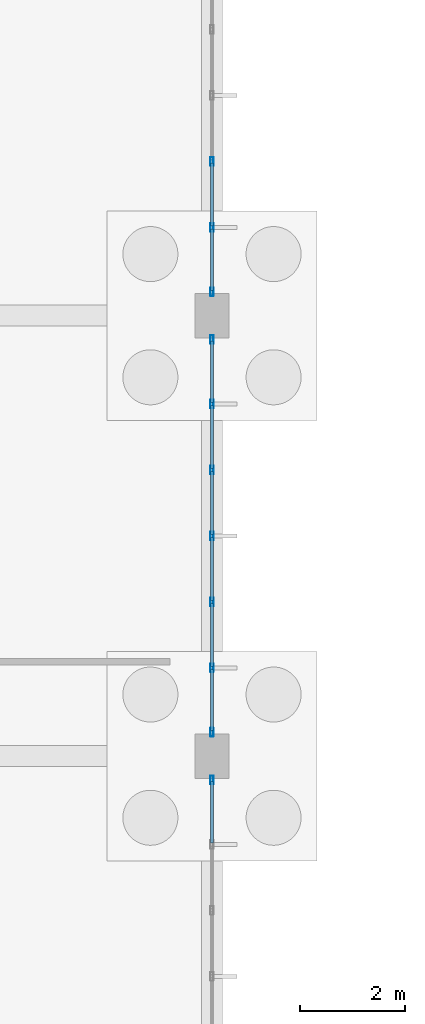
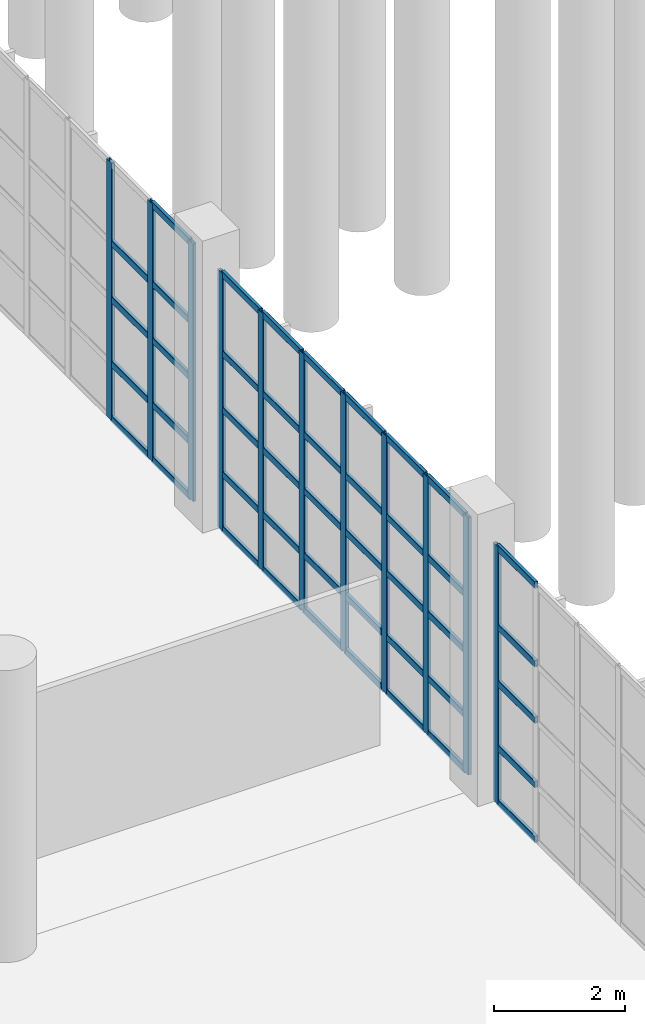
# One storey, part 28 of 83: 55 members, 3 elements without a shape of their own.
"""IFC4 building model written with IfcOpenShell, lengths in metres."""

from ifc_helpers import new_model, si_unit, direction, frame, origin, origin_2d, place, context, subcontext, project, spatial, hollow_rectangle, extrude, material, layer, layer_set, material_profile, profile_set, type_object, element, aggregate, save


model = new_model("IFC4")

# Units and contexts
model_context = context("Model", 3, precision=1e-05, world=origin(), true_north=direction((0.0, 1.0)))
body_context = subcontext(model_context, "Body", "Model", "MODEL_VIEW")
ifc_project = project(units=[si_unit("LENGTHUNIT", "METRE"), si_unit("AREAUNIT", "SQUARE_METRE"), si_unit("VOLUMEUNIT", "CUBIC_METRE"), si_unit("PLANEANGLEUNIT", "RADIAN"), si_unit("MASSUNIT", "GRAM", prefix="KILO"), si_unit("THERMODYNAMICTEMPERATUREUNIT", "KELVIN"), si_unit("POWERUNIT", "WATT")], contexts=[model_context])

# Site, building, storey
site_placement = place(None, origin())
site = spatial("IfcSite", under=ifc_project, at=site_placement, CompositionType="ELEMENT")
building_placement = place(site_placement, origin())
building = spatial("IfcBuilding", under=site, at=building_placement, Name="Mavoryth Pier Ferry Terminal", CompositionType="ELEMENT")
storey_placement = place(building_placement, origin())
storey = spatial("IfcBuildingStorey", under=building, at=storey_placement, Name="L00", CompositionType="ELEMENT", Elevation=0.0)

# Curtain wall, member
ifc_material_1 = material(Name="Anodised Aluminium and Solar-Control Low-E Glass", Category="aluminium")
ifc_layer = layer(ifc_material_1, 0.199951171875, Name="Anodised Aluminium and Solar-Control Low-E Glass", Category="aluminium")
ifc_layer_set = layer_set([ifc_layer], Name="Anodised Aluminium and Solar-Control Low-E Glass - CW-Concourse-Mod1200")
curtain_wall_type = type_object("IfcCurtainWallType", Name="CW-Concourse-Mod1200", PredefinedType="USERDEFINED", material=ifc_layer_set)
curtain_wall_1_placement = place(storey_placement, origin())
curtain_wall_1 = element("IfcCurtainWall", 1, at=curtain_wall_1_placement, inside=storey, type_object=curtain_wall_type, Name="Curtain Wall CW-0022-010", ObjectType="UNITISED CURTAIN WALL", PredefinedType="USERDEFINED")
ifc_material_2 = material(Name="Anodised Aluminium EN AW-6063", Category="aluminium")
ifc_material_profile_1 = material_profile(ifc_material_2, hollow_rectangle(XDim=0.06005859375, YDim=0.1650390625, WallThickness=0.00390625, InnerFilletRadius=0.00390625, OuterFilletRadius=0.008056640625, at=origin_2d()), Name="AL-MULL 165x60x4", Category="aluminium")
ifc_profile_set_1 = profile_set([ifc_material_profile_1], Name="Anodised Aluminium EN AW-6063 - AL-MULL 165x60x4")
member_type_1 = type_object("IfcMemberType", Name="Mullion-Alum-165x60", PredefinedType="MULLION", material=ifc_profile_set_1)
member_1_placement = place(storey_placement, frame((33.60009765625, 63.544921875, 0.0), z_axis=(0.0, 0.0, 1.0), x_axis=(-1.0, 0.0, 0.0)))
member_1 = element("IfcMember", 2, at=member_1_placement, type_object=member_type_1, Name="CW02 mullion 7", PredefinedType="MULLION", context=body_context, shape_type="SweptSolid", body=[
    extrude(hollow_rectangle(XDim=0.06005859375, YDim=0.1650390625, WallThickness=0.00390625, InnerFilletRadius=0.00390625, OuterFilletRadius=0.008056640625, at=origin_2d()), origin(), (0.0, 0.0, 1.0), 4.794921875),
])

# Curtain wall, members
curtain_wall_2_placement = place(storey_placement, origin())
curtain_wall_2 = element("IfcCurtainWall", 3, at=curtain_wall_2_placement, inside=storey, type_object=curtain_wall_type, Name="Curtain Wall CW-0022-014", ObjectType="UNITISED CURTAIN WALL", PredefinedType="USERDEFINED")
member_2_placement = place(storey_placement, frame((33.60009765625, 64.455078125, 0.0), z_axis=(0.0, 0.0, 1.0), x_axis=(-1.0, 0.0, 0.0)))
member_2 = element("IfcMember", 4, at=member_2_placement, type_object=member_type_1, Name="CW02 mullion 1", PredefinedType="MULLION", context=body_context, shape_type="SweptSolid", body=[
    extrude(hollow_rectangle(XDim=0.06005859375, YDim=0.1650390625, WallThickness=0.00390625, InnerFilletRadius=0.00390625, OuterFilletRadius=0.008056640625, at=origin_2d()), origin(), (0.0, 0.0, 1.0), 4.794921875),
])
member_3_placement = place(storey_placement, frame((33.60009765625, 65.683349609375, 0.0), z_axis=(0.0, 0.0, 1.0), x_axis=(-1.0, 0.0, 0.0)))
member_3 = element("IfcMember", 5, at=member_3_placement, type_object=member_type_1, Name="CW02 mullion 2", PredefinedType="MULLION", context=body_context, shape_type="SweptSolid", body=[
    extrude(hollow_rectangle(XDim=0.06005859375, YDim=0.1650390625, WallThickness=0.00390625, InnerFilletRadius=0.00390625, OuterFilletRadius=0.008056640625, at=origin_2d()), origin(), (0.0, 0.0, 1.0), 4.794921875),
])
member_4_placement = place(storey_placement, frame((33.60009765625, 66.941650390625, 0.0), z_axis=(0.0, 0.0, 1.0), x_axis=(-1.0, 0.0, 0.0)))
member_4 = element("IfcMember", 6, at=member_4_placement, type_object=member_type_1, Name="CW02 mullion 3", PredefinedType="MULLION", context=body_context, shape_type="SweptSolid", body=[
    extrude(hollow_rectangle(XDim=0.06005859375, YDim=0.1650390625, WallThickness=0.00390625, InnerFilletRadius=0.00390625, OuterFilletRadius=0.008056640625, at=origin_2d()), origin(), (0.0, 0.0, 1.0), 4.794921875),
])
member_5_placement = place(storey_placement, frame((33.60009765625, 68.199951171875, 0.0), z_axis=(0.0, 0.0, 1.0), x_axis=(-1.0, 0.0, 0.0)))
member_5 = element("IfcMember", 7, at=member_5_placement, type_object=member_type_1, Name="CW02 mullion 4", PredefinedType="MULLION", context=body_context, shape_type="SweptSolid", body=[
    extrude(hollow_rectangle(XDim=0.06005859375, YDim=0.1650390625, WallThickness=0.00390625, InnerFilletRadius=0.00390625, OuterFilletRadius=0.008056640625, at=origin_2d()), origin(), (0.0, 0.0, 1.0), 4.794921875),
])
member_6_placement = place(storey_placement, frame((33.60009765625, 69.458251953125, 0.0), z_axis=(0.0, 0.0, 1.0), x_axis=(-1.0, 0.0, 0.0)))
member_6 = element("IfcMember", 8, at=member_6_placement, type_object=member_type_1, Name="CW02 mullion 5", PredefinedType="MULLION", context=body_context, shape_type="SweptSolid", body=[
    extrude(hollow_rectangle(XDim=0.06005859375, YDim=0.1650390625, WallThickness=0.00390625, InnerFilletRadius=0.00390625, OuterFilletRadius=0.008056640625, at=origin_2d()), origin(), (0.0, 0.0, 1.0), 4.794921875),
])
member_7_placement = place(storey_placement, frame((33.60009765625, 70.716552734375, 0.0), z_axis=(0.0, 0.0, 1.0), x_axis=(-1.0, 0.0, 0.0)))
member_7 = element("IfcMember", 9, at=member_7_placement, type_object=member_type_1, Name="CW02 mullion 6", PredefinedType="MULLION", context=body_context, shape_type="SweptSolid", body=[
    extrude(hollow_rectangle(XDim=0.06005859375, YDim=0.1650390625, WallThickness=0.00390625, InnerFilletRadius=0.00390625, OuterFilletRadius=0.008056640625, at=origin_2d()), origin(), (0.0, 0.0, 1.0), 4.794921875),
])
member_8_placement = place(storey_placement, frame((33.60009765625, 71.945068359375, 0.0), z_axis=(0.0, 0.0, 1.0), x_axis=(-1.0, 0.0, 0.0)))
member_8 = element("IfcMember", 10, at=member_8_placement, type_object=member_type_1, Name="CW02 mullion 7", PredefinedType="MULLION", context=body_context, shape_type="SweptSolid", body=[
    extrude(hollow_rectangle(XDim=0.06005859375, YDim=0.1650390625, WallThickness=0.00390625, InnerFilletRadius=0.00390625, OuterFilletRadius=0.008056640625, at=origin_2d()), origin(), (0.0, 0.0, 1.0), 4.794921875),
])

curtain_wall_3_placement = place(storey_placement, origin())
curtain_wall_3 = element("IfcCurtainWall", 11, at=curtain_wall_3_placement, inside=storey, type_object=curtain_wall_type, Name="Curtain Wall CW-0022-018", ObjectType="UNITISED CURTAIN WALL", PredefinedType="USERDEFINED")
member_9_placement = place(storey_placement, frame((33.60009765625, 72.85498046875, 0.0), z_axis=(0.0, 0.0, 1.0), x_axis=(-1.0, 0.0, 0.0)))
member_9 = element("IfcMember", 12, at=member_9_placement, type_object=member_type_1, Name="CW02 mullion 1", PredefinedType="MULLION", context=body_context, shape_type="SweptSolid", body=[
    extrude(hollow_rectangle(XDim=0.06005859375, YDim=0.1650390625, WallThickness=0.00390625, InnerFilletRadius=0.00390625, OuterFilletRadius=0.008056640625, at=origin_2d()), origin(), (0.0, 0.0, 1.0), 4.794921875),
])
member_10_placement = place(storey_placement, frame((33.60009765625, 74.083251953125, 0.0), z_axis=(0.0, 0.0, 1.0), x_axis=(-1.0, 0.0, 0.0)))
member_10 = element("IfcMember", 13, at=member_10_placement, type_object=member_type_1, Name="CW02 mullion 2", PredefinedType="MULLION", context=body_context, shape_type="SweptSolid", body=[
    extrude(hollow_rectangle(XDim=0.06005859375, YDim=0.1650390625, WallThickness=0.00390625, InnerFilletRadius=0.00390625, OuterFilletRadius=0.008056640625, at=origin_2d()), origin(), (0.0, 0.0, 1.0), 4.794921875),
])
member_11_placement = place(storey_placement, frame((33.60009765625, 75.341552734375, 0.0), z_axis=(0.0, 0.0, 1.0), x_axis=(-1.0, 0.0, 0.0)))
member_11 = element("IfcMember", 14, at=member_11_placement, type_object=member_type_1, Name="CW02 mullion 3", PredefinedType="MULLION", context=body_context, shape_type="SweptSolid", body=[
    extrude(hollow_rectangle(XDim=0.06005859375, YDim=0.1650390625, WallThickness=0.00390625, InnerFilletRadius=0.00390625, OuterFilletRadius=0.008056640625, at=origin_2d()), origin(), (0.0, 0.0, 1.0), 4.794921875),
])

# Member
ifc_material_profile_2 = material_profile(ifc_material_2, hollow_rectangle(XDim=0.06005859375, YDim=0.125, WallThickness=0.00390625, InnerFilletRadius=0.00390625, OuterFilletRadius=0.008056640625, at=origin_2d()), Name="AL-TRAN 125x60x4", Category="aluminium")
ifc_profile_set_2 = profile_set([ifc_material_profile_2], Name="Anodised Aluminium EN AW-6063 - AL-TRAN 125x60x4")
member_type_2 = type_object("IfcMemberType", Name="Transom-Alum-125x60", PredefinedType="USERDEFINED", material=ifc_profile_set_2)
member_12_placement = place(storey_placement, frame((33.60009765625, 62.3466796875, 0.030029296875), z_axis=(0.0, 1.0, 0.0), x_axis=(-1.0, 0.0, 0.0)))
member_12 = element("IfcMember", 15, at=member_12_placement, type_object=member_type_2, Name="CW02 transom 6.1", ObjectType="TRANSOM", PredefinedType="USERDEFINED", context=body_context, shape_type="SweptSolid", body=[
    extrude(hollow_rectangle(XDim=0.06005859375, YDim=0.125, WallThickness=0.00390625, InnerFilletRadius=0.00390625, OuterFilletRadius=0.008056640625, at=origin_2d()), origin(), (0.0, 0.0, 1.0), 1.168212890625),
])

member_13_placement = place(storey_placement, frame((33.60009765625, 62.3466796875, 1.050048828125), z_axis=(0.0, 1.0, 0.0), x_axis=(-1.0, 0.0, 0.0)))
member_13 = element("IfcMember", 16, at=member_13_placement, type_object=member_type_2, Name="CW02 transom 6.2", ObjectType="TRANSOM", PredefinedType="USERDEFINED", context=body_context, shape_type="SweptSolid", body=[
    extrude(hollow_rectangle(XDim=0.06005859375, YDim=0.125, WallThickness=0.00390625, InnerFilletRadius=0.00390625, OuterFilletRadius=0.008056640625, at=origin_2d()), origin(), (0.0, 0.0, 1.0), 1.168212890625),
])

member_14_placement = place(storey_placement, frame((33.60009765625, 62.3466796875, 2.25), z_axis=(0.0, 1.0, 0.0), x_axis=(-1.0, 0.0, 0.0)))
member_14 = element("IfcMember", 17, at=member_14_placement, type_object=member_type_2, Name="CW02 transom 6.3", ObjectType="TRANSOM", PredefinedType="USERDEFINED", context=body_context, shape_type="SweptSolid", body=[
    extrude(hollow_rectangle(XDim=0.06005859375, YDim=0.125, WallThickness=0.00390625, InnerFilletRadius=0.00390625, OuterFilletRadius=0.008056640625, at=origin_2d()), origin(), (0.0, 0.0, 1.0), 1.168212890625),
])

member_15_placement = place(storey_placement, frame((33.60009765625, 62.3466796875, 3.300048828125), z_axis=(0.0, 1.0, 0.0), x_axis=(-1.0, 0.0, 0.0)))
member_15 = element("IfcMember", 18, at=member_15_placement, type_object=member_type_2, Name="CW02 transom 6.4", ObjectType="TRANSOM", PredefinedType="USERDEFINED", context=body_context, shape_type="SweptSolid", body=[
    extrude(hollow_rectangle(XDim=0.06005859375, YDim=0.125, WallThickness=0.00390625, InnerFilletRadius=0.00390625, OuterFilletRadius=0.008056640625, at=origin_2d()), origin(), (0.0, 0.0, 1.0), 1.168212890625),
])

member_16_placement = place(storey_placement, frame((33.60009765625, 62.3466796875, 4.764892578125), z_axis=(0.0, 1.0, 0.0), x_axis=(-1.0, 0.0, 0.0)))
member_16 = element("IfcMember", 19, at=member_16_placement, type_object=member_type_2, Name="CW02 transom 6.5", ObjectType="TRANSOM", PredefinedType="USERDEFINED", context=body_context, shape_type="SweptSolid", body=[
    extrude(hollow_rectangle(XDim=0.06005859375, YDim=0.125, WallThickness=0.00390625, InnerFilletRadius=0.00390625, OuterFilletRadius=0.008056640625, at=origin_2d()), origin(), (0.0, 0.0, 1.0), 1.168212890625),
])

aggregate(curtain_wall_1, [member_1, member_12, member_13, member_14, member_15, member_16])

member_17_placement = place(storey_placement, frame((33.60009765625, 64.485107421875, 0.030029296875), z_axis=(0.0, 1.0, 0.0), x_axis=(-1.0, 0.0, 0.0)))
member_17 = element("IfcMember", 20, at=member_17_placement, type_object=member_type_2, Name="CW02 transom 1.1", ObjectType="TRANSOM", PredefinedType="USERDEFINED", context=body_context, shape_type="SweptSolid", body=[
    extrude(hollow_rectangle(XDim=0.06005859375, YDim=0.125, WallThickness=0.00390625, InnerFilletRadius=0.00390625, OuterFilletRadius=0.008056640625, at=origin_2d()), origin(), (0.0, 0.0, 1.0), 1.168212890625),
])

member_18_placement = place(storey_placement, frame((33.60009765625, 64.485107421875, 1.050048828125), z_axis=(0.0, 1.0, 0.0), x_axis=(-1.0, 0.0, 0.0)))
member_18 = element("IfcMember", 21, at=member_18_placement, type_object=member_type_2, Name="CW02 transom 1.2", ObjectType="TRANSOM", PredefinedType="USERDEFINED", context=body_context, shape_type="SweptSolid", body=[
    extrude(hollow_rectangle(XDim=0.06005859375, YDim=0.125, WallThickness=0.00390625, InnerFilletRadius=0.00390625, OuterFilletRadius=0.008056640625, at=origin_2d()), origin(), (0.0, 0.0, 1.0), 1.168212890625),
])

member_19_placement = place(storey_placement, frame((33.60009765625, 64.485107421875, 2.25), z_axis=(0.0, 1.0, 0.0), x_axis=(-1.0, 0.0, 0.0)))
member_19 = element("IfcMember", 22, at=member_19_placement, type_object=member_type_2, Name="CW02 transom 1.3", ObjectType="TRANSOM", PredefinedType="USERDEFINED", context=body_context, shape_type="SweptSolid", body=[
    extrude(hollow_rectangle(XDim=0.06005859375, YDim=0.125, WallThickness=0.00390625, InnerFilletRadius=0.00390625, OuterFilletRadius=0.008056640625, at=origin_2d()), origin(), (0.0, 0.0, 1.0), 1.168212890625),
])

member_20_placement = place(storey_placement, frame((33.60009765625, 64.485107421875, 3.300048828125), z_axis=(0.0, 1.0, 0.0), x_axis=(-1.0, 0.0, 0.0)))
member_20 = element("IfcMember", 23, at=member_20_placement, type_object=member_type_2, Name="CW02 transom 1.4", ObjectType="TRANSOM", PredefinedType="USERDEFINED", context=body_context, shape_type="SweptSolid", body=[
    extrude(hollow_rectangle(XDim=0.06005859375, YDim=0.125, WallThickness=0.00390625, InnerFilletRadius=0.00390625, OuterFilletRadius=0.008056640625, at=origin_2d()), origin(), (0.0, 0.0, 1.0), 1.168212890625),
])

member_21_placement = place(storey_placement, frame((33.60009765625, 64.485107421875, 4.764892578125), z_axis=(0.0, 1.0, 0.0), x_axis=(-1.0, 0.0, 0.0)))
member_21 = element("IfcMember", 24, at=member_21_placement, type_object=member_type_2, Name="CW02 transom 1.5", ObjectType="TRANSOM", PredefinedType="USERDEFINED", context=body_context, shape_type="SweptSolid", body=[
    extrude(hollow_rectangle(XDim=0.06005859375, YDim=0.125, WallThickness=0.00390625, InnerFilletRadius=0.00390625, OuterFilletRadius=0.008056640625, at=origin_2d()), origin(), (0.0, 0.0, 1.0), 1.168212890625),
])

member_22_placement = place(storey_placement, frame((33.60009765625, 65.71337890625, 0.030029296875), z_axis=(0.0, 1.0, 0.0), x_axis=(-1.0, 0.0, 0.0)))
member_22 = element("IfcMember", 25, at=member_22_placement, type_object=member_type_2, Name="CW02 transom 2.1", ObjectType="TRANSOM", PredefinedType="USERDEFINED", context=body_context, shape_type="SweptSolid", body=[
    extrude(hollow_rectangle(XDim=0.06005859375, YDim=0.125, WallThickness=0.00390625, InnerFilletRadius=0.00390625, OuterFilletRadius=0.008056640625, at=origin_2d()), origin(), (0.0, 0.0, 1.0), 1.1982421875),
])

member_23_placement = place(storey_placement, frame((33.60009765625, 65.71337890625, 1.050048828125), z_axis=(0.0, 1.0, 0.0), x_axis=(-1.0, 0.0, 0.0)))
member_23 = element("IfcMember", 26, at=member_23_placement, type_object=member_type_2, Name="CW02 transom 2.2", ObjectType="TRANSOM", PredefinedType="USERDEFINED", context=body_context, shape_type="SweptSolid", body=[
    extrude(hollow_rectangle(XDim=0.06005859375, YDim=0.125, WallThickness=0.00390625, InnerFilletRadius=0.00390625, OuterFilletRadius=0.008056640625, at=origin_2d()), origin(), (0.0, 0.0, 1.0), 1.1982421875),
])

member_24_placement = place(storey_placement, frame((33.60009765625, 65.71337890625, 2.25), z_axis=(0.0, 1.0, 0.0), x_axis=(-1.0, 0.0, 0.0)))
member_24 = element("IfcMember", 27, at=member_24_placement, type_object=member_type_2, Name="CW02 transom 2.3", ObjectType="TRANSOM", PredefinedType="USERDEFINED", context=body_context, shape_type="SweptSolid", body=[
    extrude(hollow_rectangle(XDim=0.06005859375, YDim=0.125, WallThickness=0.00390625, InnerFilletRadius=0.00390625, OuterFilletRadius=0.008056640625, at=origin_2d()), origin(), (0.0, 0.0, 1.0), 1.1982421875),
])

member_25_placement = place(storey_placement, frame((33.60009765625, 65.71337890625, 3.300048828125), z_axis=(0.0, 1.0, 0.0), x_axis=(-1.0, 0.0, 0.0)))
member_25 = element("IfcMember", 28, at=member_25_placement, type_object=member_type_2, Name="CW02 transom 2.4", ObjectType="TRANSOM", PredefinedType="USERDEFINED", context=body_context, shape_type="SweptSolid", body=[
    extrude(hollow_rectangle(XDim=0.06005859375, YDim=0.125, WallThickness=0.00390625, InnerFilletRadius=0.00390625, OuterFilletRadius=0.008056640625, at=origin_2d()), origin(), (0.0, 0.0, 1.0), 1.1982421875),
])

member_26_placement = place(storey_placement, frame((33.60009765625, 65.71337890625, 4.764892578125), z_axis=(0.0, 1.0, 0.0), x_axis=(-1.0, 0.0, 0.0)))
member_26 = element("IfcMember", 29, at=member_26_placement, type_object=member_type_2, Name="CW02 transom 2.5", ObjectType="TRANSOM", PredefinedType="USERDEFINED", context=body_context, shape_type="SweptSolid", body=[
    extrude(hollow_rectangle(XDim=0.06005859375, YDim=0.125, WallThickness=0.00390625, InnerFilletRadius=0.00390625, OuterFilletRadius=0.008056640625, at=origin_2d()), origin(), (0.0, 0.0, 1.0), 1.1982421875),
])

member_27_placement = place(storey_placement, frame((33.60009765625, 66.9716796875, 0.030029296875), z_axis=(0.0, 1.0, 0.0), x_axis=(-1.0, 0.0, 0.0)))
member_27 = element("IfcMember", 30, at=member_27_placement, type_object=member_type_2, Name="CW02 transom 3.1", ObjectType="TRANSOM", PredefinedType="USERDEFINED", context=body_context, shape_type="SweptSolid", body=[
    extrude(hollow_rectangle(XDim=0.06005859375, YDim=0.125, WallThickness=0.00390625, InnerFilletRadius=0.00390625, OuterFilletRadius=0.008056640625, at=origin_2d()), origin(), (0.0, 0.0, 1.0), 1.1982421875),
])

member_28_placement = place(storey_placement, frame((33.60009765625, 66.9716796875, 1.050048828125), z_axis=(0.0, 1.0, 0.0), x_axis=(-1.0, 0.0, 0.0)))
member_28 = element("IfcMember", 31, at=member_28_placement, type_object=member_type_2, Name="CW02 transom 3.2", ObjectType="TRANSOM", PredefinedType="USERDEFINED", context=body_context, shape_type="SweptSolid", body=[
    extrude(hollow_rectangle(XDim=0.06005859375, YDim=0.125, WallThickness=0.00390625, InnerFilletRadius=0.00390625, OuterFilletRadius=0.008056640625, at=origin_2d()), origin(), (0.0, 0.0, 1.0), 1.1982421875),
])

member_29_placement = place(storey_placement, frame((33.60009765625, 66.9716796875, 2.25), z_axis=(0.0, 1.0, 0.0), x_axis=(-1.0, 0.0, 0.0)))
member_29 = element("IfcMember", 32, at=member_29_placement, type_object=member_type_2, Name="CW02 transom 3.3", ObjectType="TRANSOM", PredefinedType="USERDEFINED", context=body_context, shape_type="SweptSolid", body=[
    extrude(hollow_rectangle(XDim=0.06005859375, YDim=0.125, WallThickness=0.00390625, InnerFilletRadius=0.00390625, OuterFilletRadius=0.008056640625, at=origin_2d()), origin(), (0.0, 0.0, 1.0), 1.1982421875),
])

member_30_placement = place(storey_placement, frame((33.60009765625, 66.9716796875, 3.300048828125), z_axis=(0.0, 1.0, 0.0), x_axis=(-1.0, 0.0, 0.0)))
member_30 = element("IfcMember", 33, at=member_30_placement, type_object=member_type_2, Name="CW02 transom 3.4", ObjectType="TRANSOM", PredefinedType="USERDEFINED", context=body_context, shape_type="SweptSolid", body=[
    extrude(hollow_rectangle(XDim=0.06005859375, YDim=0.125, WallThickness=0.00390625, InnerFilletRadius=0.00390625, OuterFilletRadius=0.008056640625, at=origin_2d()), origin(), (0.0, 0.0, 1.0), 1.1982421875),
])

member_31_placement = place(storey_placement, frame((33.60009765625, 66.9716796875, 4.764892578125), z_axis=(0.0, 1.0, 0.0), x_axis=(-1.0, 0.0, 0.0)))
member_31 = element("IfcMember", 34, at=member_31_placement, type_object=member_type_2, Name="CW02 transom 3.5", ObjectType="TRANSOM", PredefinedType="USERDEFINED", context=body_context, shape_type="SweptSolid", body=[
    extrude(hollow_rectangle(XDim=0.06005859375, YDim=0.125, WallThickness=0.00390625, InnerFilletRadius=0.00390625, OuterFilletRadius=0.008056640625, at=origin_2d()), origin(), (0.0, 0.0, 1.0), 1.1982421875),
])

member_32_placement = place(storey_placement, frame((33.60009765625, 68.22998046875, 0.030029296875), z_axis=(0.0, 1.0, 0.0), x_axis=(-1.0, 0.0, 0.0)))
member_32 = element("IfcMember", 35, at=member_32_placement, type_object=member_type_2, Name="CW02 transom 4.1", ObjectType="TRANSOM", PredefinedType="USERDEFINED", context=body_context, shape_type="SweptSolid", body=[
    extrude(hollow_rectangle(XDim=0.06005859375, YDim=0.125, WallThickness=0.00390625, InnerFilletRadius=0.00390625, OuterFilletRadius=0.008056640625, at=origin_2d()), origin(), (0.0, 0.0, 1.0), 1.1982421875),
])

member_33_placement = place(storey_placement, frame((33.60009765625, 68.22998046875, 1.050048828125), z_axis=(0.0, 1.0, 0.0), x_axis=(-1.0, 0.0, 0.0)))
member_33 = element("IfcMember", 36, at=member_33_placement, type_object=member_type_2, Name="CW02 transom 4.2", ObjectType="TRANSOM", PredefinedType="USERDEFINED", context=body_context, shape_type="SweptSolid", body=[
    extrude(hollow_rectangle(XDim=0.06005859375, YDim=0.125, WallThickness=0.00390625, InnerFilletRadius=0.00390625, OuterFilletRadius=0.008056640625, at=origin_2d()), origin(), (0.0, 0.0, 1.0), 1.1982421875),
])

member_34_placement = place(storey_placement, frame((33.60009765625, 68.22998046875, 2.25), z_axis=(0.0, 1.0, 0.0), x_axis=(-1.0, 0.0, 0.0)))
member_34 = element("IfcMember", 37, at=member_34_placement, type_object=member_type_2, Name="CW02 transom 4.3", ObjectType="TRANSOM", PredefinedType="USERDEFINED", context=body_context, shape_type="SweptSolid", body=[
    extrude(hollow_rectangle(XDim=0.06005859375, YDim=0.125, WallThickness=0.00390625, InnerFilletRadius=0.00390625, OuterFilletRadius=0.008056640625, at=origin_2d()), origin(), (0.0, 0.0, 1.0), 1.1982421875),
])

member_35_placement = place(storey_placement, frame((33.60009765625, 68.22998046875, 3.300048828125), z_axis=(0.0, 1.0, 0.0), x_axis=(-1.0, 0.0, 0.0)))
member_35 = element("IfcMember", 38, at=member_35_placement, type_object=member_type_2, Name="CW02 transom 4.4", ObjectType="TRANSOM", PredefinedType="USERDEFINED", context=body_context, shape_type="SweptSolid", body=[
    extrude(hollow_rectangle(XDim=0.06005859375, YDim=0.125, WallThickness=0.00390625, InnerFilletRadius=0.00390625, OuterFilletRadius=0.008056640625, at=origin_2d()), origin(), (0.0, 0.0, 1.0), 1.1982421875),
])

member_36_placement = place(storey_placement, frame((33.60009765625, 68.22998046875, 4.764892578125), z_axis=(0.0, 1.0, 0.0), x_axis=(-1.0, 0.0, 0.0)))
member_36 = element("IfcMember", 39, at=member_36_placement, type_object=member_type_2, Name="CW02 transom 4.5", ObjectType="TRANSOM", PredefinedType="USERDEFINED", context=body_context, shape_type="SweptSolid", body=[
    extrude(hollow_rectangle(XDim=0.06005859375, YDim=0.125, WallThickness=0.00390625, InnerFilletRadius=0.00390625, OuterFilletRadius=0.008056640625, at=origin_2d()), origin(), (0.0, 0.0, 1.0), 1.1982421875),
])

member_37_placement = place(storey_placement, frame((33.60009765625, 69.48828125, 0.030029296875), z_axis=(0.0, 1.0, 0.0), x_axis=(-1.0, 0.0, 0.0)))
member_37 = element("IfcMember", 40, at=member_37_placement, type_object=member_type_2, Name="CW02 transom 5.1", ObjectType="TRANSOM", PredefinedType="USERDEFINED", context=body_context, shape_type="SweptSolid", body=[
    extrude(hollow_rectangle(XDim=0.06005859375, YDim=0.125, WallThickness=0.00390625, InnerFilletRadius=0.00390625, OuterFilletRadius=0.008056640625, at=origin_2d()), origin(), (0.0, 0.0, 1.0), 1.198486328125),
])

member_38_placement = place(storey_placement, frame((33.60009765625, 69.48828125, 1.050048828125), z_axis=(0.0, 1.0, 0.0), x_axis=(-1.0, 0.0, 0.0)))
member_38 = element("IfcMember", 41, at=member_38_placement, type_object=member_type_2, Name="CW02 transom 5.2", ObjectType="TRANSOM", PredefinedType="USERDEFINED", context=body_context, shape_type="SweptSolid", body=[
    extrude(hollow_rectangle(XDim=0.06005859375, YDim=0.125, WallThickness=0.00390625, InnerFilletRadius=0.00390625, OuterFilletRadius=0.008056640625, at=origin_2d()), origin(), (0.0, 0.0, 1.0), 1.198486328125),
])

member_39_placement = place(storey_placement, frame((33.60009765625, 69.48828125, 2.25), z_axis=(0.0, 1.0, 0.0), x_axis=(-1.0, 0.0, 0.0)))
member_39 = element("IfcMember", 42, at=member_39_placement, type_object=member_type_2, Name="CW02 transom 5.3", ObjectType="TRANSOM", PredefinedType="USERDEFINED", context=body_context, shape_type="SweptSolid", body=[
    extrude(hollow_rectangle(XDim=0.06005859375, YDim=0.125, WallThickness=0.00390625, InnerFilletRadius=0.00390625, OuterFilletRadius=0.008056640625, at=origin_2d()), origin(), (0.0, 0.0, 1.0), 1.198486328125),
])

member_40_placement = place(storey_placement, frame((33.60009765625, 69.48828125, 3.300048828125), z_axis=(0.0, 1.0, 0.0), x_axis=(-1.0, 0.0, 0.0)))
member_40 = element("IfcMember", 43, at=member_40_placement, type_object=member_type_2, Name="CW02 transom 5.4", ObjectType="TRANSOM", PredefinedType="USERDEFINED", context=body_context, shape_type="SweptSolid", body=[
    extrude(hollow_rectangle(XDim=0.06005859375, YDim=0.125, WallThickness=0.00390625, InnerFilletRadius=0.00390625, OuterFilletRadius=0.008056640625, at=origin_2d()), origin(), (0.0, 0.0, 1.0), 1.198486328125),
])

member_41_placement = place(storey_placement, frame((33.60009765625, 69.48828125, 4.764892578125), z_axis=(0.0, 1.0, 0.0), x_axis=(-1.0, 0.0, 0.0)))
member_41 = element("IfcMember", 44, at=member_41_placement, type_object=member_type_2, Name="CW02 transom 5.5", ObjectType="TRANSOM", PredefinedType="USERDEFINED", context=body_context, shape_type="SweptSolid", body=[
    extrude(hollow_rectangle(XDim=0.06005859375, YDim=0.125, WallThickness=0.00390625, InnerFilletRadius=0.00390625, OuterFilletRadius=0.008056640625, at=origin_2d()), origin(), (0.0, 0.0, 1.0), 1.198486328125),
])

member_42_placement = place(storey_placement, frame((33.60009765625, 70.74658203125, 0.030029296875), z_axis=(0.0, 1.0, 0.0), x_axis=(-1.0, 0.0, 0.0)))
member_42 = element("IfcMember", 45, at=member_42_placement, type_object=member_type_2, Name="CW02 transom 6.1", ObjectType="TRANSOM", PredefinedType="USERDEFINED", context=body_context, shape_type="SweptSolid", body=[
    extrude(hollow_rectangle(XDim=0.06005859375, YDim=0.125, WallThickness=0.00390625, InnerFilletRadius=0.00390625, OuterFilletRadius=0.008056640625, at=origin_2d()), origin(), (0.0, 0.0, 1.0), 1.16845703125),
])

member_43_placement = place(storey_placement, frame((33.60009765625, 70.74658203125, 1.050048828125), z_axis=(0.0, 1.0, 0.0), x_axis=(-1.0, 0.0, 0.0)))
member_43 = element("IfcMember", 46, at=member_43_placement, type_object=member_type_2, Name="CW02 transom 6.2", ObjectType="TRANSOM", PredefinedType="USERDEFINED", context=body_context, shape_type="SweptSolid", body=[
    extrude(hollow_rectangle(XDim=0.06005859375, YDim=0.125, WallThickness=0.00390625, InnerFilletRadius=0.00390625, OuterFilletRadius=0.008056640625, at=origin_2d()), origin(), (0.0, 0.0, 1.0), 1.16845703125),
])

member_44_placement = place(storey_placement, frame((33.60009765625, 70.74658203125, 2.25), z_axis=(0.0, 1.0, 0.0), x_axis=(-1.0, 0.0, 0.0)))
member_44 = element("IfcMember", 47, at=member_44_placement, type_object=member_type_2, Name="CW02 transom 6.3", ObjectType="TRANSOM", PredefinedType="USERDEFINED", context=body_context, shape_type="SweptSolid", body=[
    extrude(hollow_rectangle(XDim=0.06005859375, YDim=0.125, WallThickness=0.00390625, InnerFilletRadius=0.00390625, OuterFilletRadius=0.008056640625, at=origin_2d()), origin(), (0.0, 0.0, 1.0), 1.16845703125),
])

member_45_placement = place(storey_placement, frame((33.60009765625, 70.74658203125, 3.300048828125), z_axis=(0.0, 1.0, 0.0), x_axis=(-1.0, 0.0, 0.0)))
member_45 = element("IfcMember", 48, at=member_45_placement, type_object=member_type_2, Name="CW02 transom 6.4", ObjectType="TRANSOM", PredefinedType="USERDEFINED", context=body_context, shape_type="SweptSolid", body=[
    extrude(hollow_rectangle(XDim=0.06005859375, YDim=0.125, WallThickness=0.00390625, InnerFilletRadius=0.00390625, OuterFilletRadius=0.008056640625, at=origin_2d()), origin(), (0.0, 0.0, 1.0), 1.16845703125),
])

member_46_placement = place(storey_placement, frame((33.60009765625, 70.74658203125, 4.764892578125), z_axis=(0.0, 1.0, 0.0), x_axis=(-1.0, 0.0, 0.0)))
member_46 = element("IfcMember", 49, at=member_46_placement, type_object=member_type_2, Name="CW02 transom 6.5", ObjectType="TRANSOM", PredefinedType="USERDEFINED", context=body_context, shape_type="SweptSolid", body=[
    extrude(hollow_rectangle(XDim=0.06005859375, YDim=0.125, WallThickness=0.00390625, InnerFilletRadius=0.00390625, OuterFilletRadius=0.008056640625, at=origin_2d()), origin(), (0.0, 0.0, 1.0), 1.16845703125),
])

aggregate(curtain_wall_2, [member_2, member_3, member_4, member_5, member_6, member_7, member_8, member_17, member_18, member_19, member_20, member_21, member_22, member_23, member_24, member_25, member_26, member_27, member_28, member_29, member_30, member_31, member_32, member_33, member_34, member_35, member_36, member_37, member_38, member_39, member_40, member_41, member_42, member_43, member_44, member_45, member_46])

member_47_placement = place(storey_placement, frame((33.60009765625, 72.885009765625, 0.030029296875), z_axis=(0.0, 1.0, 0.0), x_axis=(-1.0, 0.0, 0.0)))
member_47 = element("IfcMember", 50, at=member_47_placement, type_object=member_type_2, Name="CW02 transom 1.1", ObjectType="TRANSOM", PredefinedType="USERDEFINED", context=body_context, shape_type="SweptSolid", body=[
    extrude(hollow_rectangle(XDim=0.06005859375, YDim=0.125, WallThickness=0.00390625, InnerFilletRadius=0.00390625, OuterFilletRadius=0.008056640625, at=origin_2d()), origin(), (0.0, 0.0, 1.0), 1.168212890625),
])

member_48_placement = place(storey_placement, frame((33.60009765625, 72.885009765625, 1.050048828125), z_axis=(0.0, 1.0, 0.0), x_axis=(-1.0, 0.0, 0.0)))
member_48 = element("IfcMember", 51, at=member_48_placement, type_object=member_type_2, Name="CW02 transom 1.2", ObjectType="TRANSOM", PredefinedType="USERDEFINED", context=body_context, shape_type="SweptSolid", body=[
    extrude(hollow_rectangle(XDim=0.06005859375, YDim=0.125, WallThickness=0.00390625, InnerFilletRadius=0.00390625, OuterFilletRadius=0.008056640625, at=origin_2d()), origin(), (0.0, 0.0, 1.0), 1.168212890625),
])

member_49_placement = place(storey_placement, frame((33.60009765625, 72.885009765625, 2.25), z_axis=(0.0, 1.0, 0.0), x_axis=(-1.0, 0.0, 0.0)))
member_49 = element("IfcMember", 52, at=member_49_placement, type_object=member_type_2, Name="CW02 transom 1.3", ObjectType="TRANSOM", PredefinedType="USERDEFINED", context=body_context, shape_type="SweptSolid", body=[
    extrude(hollow_rectangle(XDim=0.06005859375, YDim=0.125, WallThickness=0.00390625, InnerFilletRadius=0.00390625, OuterFilletRadius=0.008056640625, at=origin_2d()), origin(), (0.0, 0.0, 1.0), 1.168212890625),
])

member_50_placement = place(storey_placement, frame((33.60009765625, 72.885009765625, 3.300048828125), z_axis=(0.0, 1.0, 0.0), x_axis=(-1.0, 0.0, 0.0)))
member_50 = element("IfcMember", 53, at=member_50_placement, type_object=member_type_2, Name="CW02 transom 1.4", ObjectType="TRANSOM", PredefinedType="USERDEFINED", context=body_context, shape_type="SweptSolid", body=[
    extrude(hollow_rectangle(XDim=0.06005859375, YDim=0.125, WallThickness=0.00390625, InnerFilletRadius=0.00390625, OuterFilletRadius=0.008056640625, at=origin_2d()), origin(), (0.0, 0.0, 1.0), 1.168212890625),
])

member_51_placement = place(storey_placement, frame((33.60009765625, 72.885009765625, 4.764892578125), z_axis=(0.0, 1.0, 0.0), x_axis=(-1.0, 0.0, 0.0)))
member_51 = element("IfcMember", 54, at=member_51_placement, type_object=member_type_2, Name="CW02 transom 1.5", ObjectType="TRANSOM", PredefinedType="USERDEFINED", context=body_context, shape_type="SweptSolid", body=[
    extrude(hollow_rectangle(XDim=0.06005859375, YDim=0.125, WallThickness=0.00390625, InnerFilletRadius=0.00390625, OuterFilletRadius=0.008056640625, at=origin_2d()), origin(), (0.0, 0.0, 1.0), 1.168212890625),
])

member_52_placement = place(storey_placement, frame((33.60009765625, 74.11328125, 0.030029296875), z_axis=(0.0, 1.0, 0.0), x_axis=(-1.0, 0.0, 0.0)))
member_52 = element("IfcMember", 55, at=member_52_placement, type_object=member_type_2, Name="CW02 transom 2.1", ObjectType="TRANSOM", PredefinedType="USERDEFINED", context=body_context, shape_type="SweptSolid", body=[
    extrude(hollow_rectangle(XDim=0.06005859375, YDim=0.125, WallThickness=0.00390625, InnerFilletRadius=0.00390625, OuterFilletRadius=0.008056640625, at=origin_2d()), origin(), (0.0, 0.0, 1.0), 1.198486328125),
])

member_53_placement = place(storey_placement, frame((33.60009765625, 74.11328125, 1.050048828125), z_axis=(0.0, 1.0, 0.0), x_axis=(-1.0, 0.0, 0.0)))
member_53 = element("IfcMember", 56, at=member_53_placement, type_object=member_type_2, Name="CW02 transom 2.2", ObjectType="TRANSOM", PredefinedType="USERDEFINED", context=body_context, shape_type="SweptSolid", body=[
    extrude(hollow_rectangle(XDim=0.06005859375, YDim=0.125, WallThickness=0.00390625, InnerFilletRadius=0.00390625, OuterFilletRadius=0.008056640625, at=origin_2d()), origin(), (0.0, 0.0, 1.0), 1.198486328125),
])

member_54_placement = place(storey_placement, frame((33.60009765625, 74.11328125, 2.25), z_axis=(0.0, 1.0, 0.0), x_axis=(-1.0, 0.0, 0.0)))
member_54 = element("IfcMember", 57, at=member_54_placement, type_object=member_type_2, Name="CW02 transom 2.3", ObjectType="TRANSOM", PredefinedType="USERDEFINED", context=body_context, shape_type="SweptSolid", body=[
    extrude(hollow_rectangle(XDim=0.06005859375, YDim=0.125, WallThickness=0.00390625, InnerFilletRadius=0.00390625, OuterFilletRadius=0.008056640625, at=origin_2d()), origin(), (0.0, 0.0, 1.0), 1.198486328125),
])

member_55_placement = place(storey_placement, frame((33.60009765625, 74.11328125, 3.300048828125), z_axis=(0.0, 1.0, 0.0), x_axis=(-1.0, 0.0, 0.0)))
member_55 = element("IfcMember", 58, at=member_55_placement, type_object=member_type_2, Name="CW02 transom 2.4", ObjectType="TRANSOM", PredefinedType="USERDEFINED", context=body_context, shape_type="SweptSolid", body=[
    extrude(hollow_rectangle(XDim=0.06005859375, YDim=0.125, WallThickness=0.00390625, InnerFilletRadius=0.00390625, OuterFilletRadius=0.008056640625, at=origin_2d()), origin(), (0.0, 0.0, 1.0), 1.198486328125),
])

aggregate(curtain_wall_3, [member_9, member_10, member_11, member_47, member_48, member_49, member_50, member_51, member_52, member_53, member_54, member_55])

save(model, "model.ifc")
